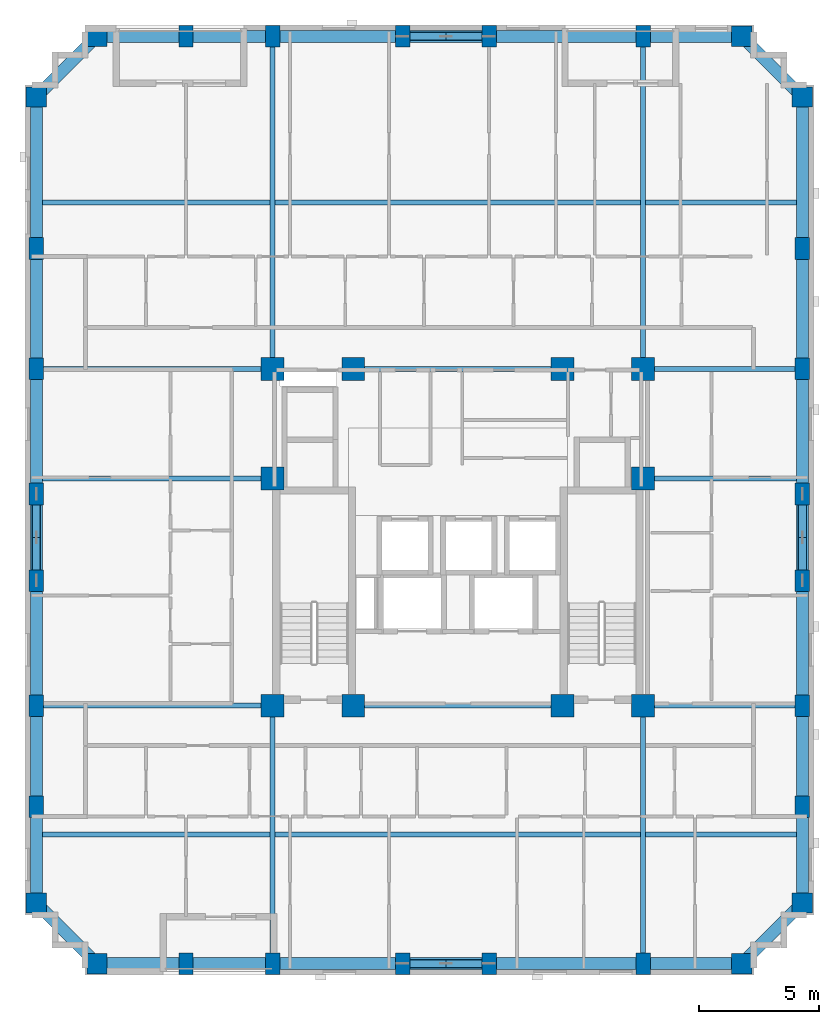
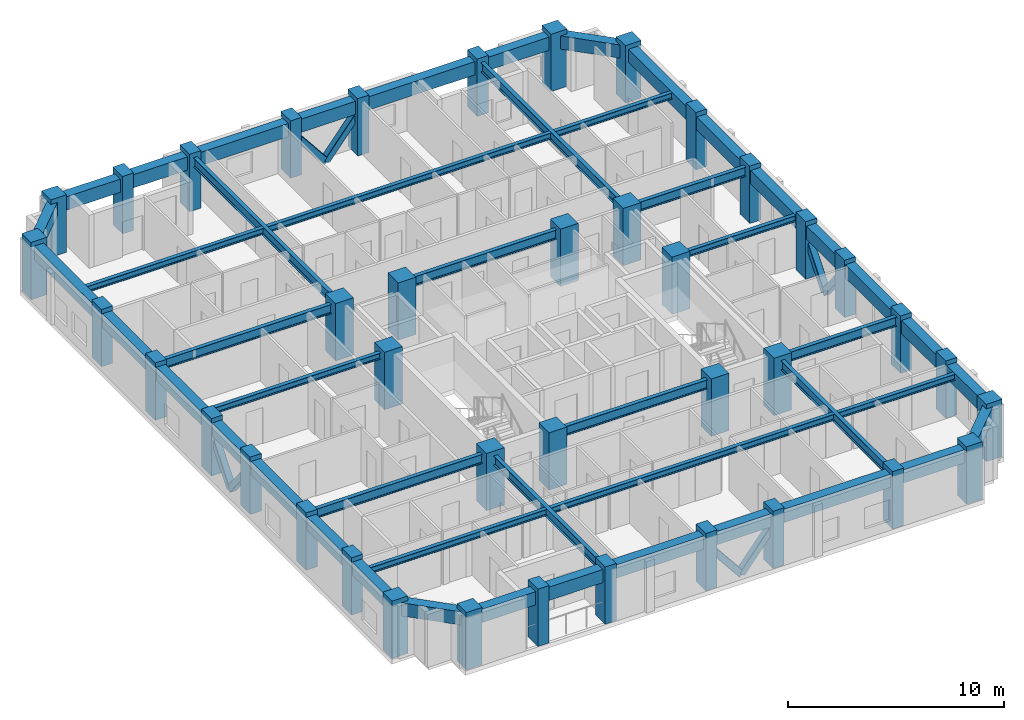
# One storey, part 1 of 11: 48 beams, 40 columns, 8 members.
"""IFC4 building model written with IfcOpenShell, lengths in metres."""

from ifc_helpers import new_model, si_unit, derived_unit, direction, frame, origin, origin_2d, place, context, subcontext, project, spatial, rectangle, hollow_rectangle, i_section, extrude, material, material_profile, profile_set, type_object, element, save


model = new_model("IFC4")

# Units and contexts
model_context = context("Model", 3, precision=1e-05, world=origin(), true_north=direction((0.0, 1.0)))
body_context = subcontext(model_context, "Body", "Model", "MODEL_VIEW")
ifc_project = project(units=[si_unit("LENGTHUNIT", "METRE"), si_unit("AREAUNIT", "SQUARE_METRE"), si_unit("VOLUMEUNIT", "CUBIC_METRE"), si_unit("PLANEANGLEUNIT", "RADIAN"), si_unit("MASSUNIT", "GRAM", prefix="KILO"), derived_unit("THERMALTRANSMITTANCEUNIT", [(si_unit("MASSUNIT", "GRAM", prefix="KILO"), 1), (si_unit("TIMEUNIT", "SECOND"), -3), (si_unit("THERMODYNAMICTEMPERATUREUNIT", "KELVIN"), -1)])], contexts=[model_context])

# Site, building, storey
site_placement = place(None, origin())
site = spatial("IfcSite", under=ifc_project, at=site_placement, CompositionType="ELEMENT")
building_placement = place(site_placement, origin())
building = spatial("IfcBuilding", under=site, at=building_placement, Name="Korrvale Station Residences", CompositionType="ELEMENT")
storey_placement = place(building_placement, frame((0.0, 0.0, 150.39990234375)))
storey = spatial("IfcBuildingStorey", under=building, at=storey_placement, Name="L43", CompositionType="ELEMENT", Elevation=150.39990234375)

# Columns
ifc_material_1 = material(Name="Concrete C60/75", Category="concrete")
ifc_material_profile_1 = material_profile(ifc_material_1, rectangle(XDim=0.60009765625, YDim=0.89990234375, at=origin_2d()), Name="RC600x900")
ifc_profile_set_1 = profile_set([ifc_material_profile_1], Name="Concrete C60/75")
column_type_1 = type_object("IfcColumnType", Name="COL-C-RC600x900-C6075", PredefinedType="COLUMN", material=ifc_profile_set_1)
for number, where, z_axis, x_axis, name in (
    (1, (14.199951171875, 4.280029296875, 0.0), (0.0, 0.0, 1.0), (1.0, 0.0, 0.0), "L43 Bundled-Tube South Column 02"),
    (2, (17.800048828125, 4.280029296875, 0.0), (0.0, 0.0, 1.0), (1.0, 0.0, 0.0), "L43 Bundled-Tube South Column 03"),
    (3, (23.199951171875, 4.280029296875, 0.0), (0.0, 0.0, 1.0), (1.0, 0.0, 0.0), "L43 Bundled-Tube South Column 04"),
    (4, (26.800048828125, 4.280029296875, 0.0), (0.0, 0.0, 1.0), (1.0, 0.0, 0.0), "L43 Bundled-Tube South Column 05"),
    (5, (33.199951171875, 4.280029296875, 0.0), (0.0, 0.0, 1.0), (1.0, 0.0, 0.0), "L43 Bundled-Tube South Column 06"),
    (6, (14.199951171875, 42.820068359375, 0.0), (0.0, 0.0, 1.0), (1.0, 0.0, 0.0), "L43 Bundled-Tube North Column 09"),
    (7, (17.800048828125, 42.820068359375, 0.0), (0.0, 0.0, 1.0), (1.0, 0.0, 0.0), "L43 Bundled-Tube North Column 10"),
    (8, (23.199951171875, 42.820068359375, 0.0), (0.0, 0.0, 1.0), (1.0, 0.0, 0.0), "L43 Bundled-Tube North Column 11"),
    (9, (26.800048828125, 42.820068359375, 0.0), (0.0, 0.0, 1.0), (1.0, 0.0, 0.0), "L43 Bundled-Tube North Column 12"),
    (10, (33.199951171875, 42.820068359375, 0.0), (0.0, 0.0, 1.0), (1.0, 0.0, 0.0), "L43 Bundled-Tube North Column 13"),
    (11, (7.97998046875, 10.800048828125, 0.0), (0.0, 0.0, 1.0), (1.0, 0.0, 0.0), "L43 Bundled-Tube West Column 16"),
    (12, (7.97998046875, 15.0, 0.0), (0.0, 0.0, 1.0), (1.0, 0.0, 0.0), "L43 Bundled-Tube West Column 17"),
    (13, (7.97998046875, 20.199951171875, 0.0), (0.0, 0.0, 1.0), (1.0, 0.0, 0.0), "L43 Bundled-Tube West Column 18"),
    (14, (7.97998046875, 23.800048828125, 0.0), (0.0, 0.0, 1.0), (1.0, 0.0, 0.0), "L43 Bundled-Tube West Column 19"),
    (15, (7.97998046875, 29.0, 0.0), (0.0, 0.0, 1.0), (1.0, 0.0, 0.0), "L43 Bundled-Tube West Column 20"),
    (16, (7.97998046875, 34.0, 0.0), (0.0, 0.0, 1.0), (1.0, 0.0, 0.0), "L43 Bundled-Tube West Column 21"),
    (17, (39.820068359375, 10.800048828125, 0.0), (0.0, 0.0, 1.0), (1.0, 0.0, 0.0), "L43 Bundled-Tube East Column 24"),
    (18, (39.820068359375, 15.0, 0.0), (0.0, 0.0, 1.0), (1.0, 0.0, 0.0), "L43 Bundled-Tube East Column 25"),
    (19, (39.820068359375, 20.199951171875, 0.0), (0.0, 0.0, 1.0), (1.0, 0.0, 0.0), "L43 Bundled-Tube East Column 26"),
    (20, (39.820068359375, 23.800048828125, 0.0), (0.0, 0.0, 1.0), (1.0, 0.0, 0.0), "L43 Bundled-Tube East Column 27"),
    (21, (39.820068359375, 29.0, 0.0), (0.0, 0.0, 1.0), (1.0, 0.0, 0.0), "L43 Bundled-Tube East Column 28"),
    (22, (39.820068359375, 34.0, 0.0), (0.0, 0.0, 1.0), (1.0, 0.0, 0.0), "L43 Bundled-Tube East Column 29"),
):
    element("IfcColumn", number, at=place(storey_placement, frame(where, z_axis=z_axis, x_axis=x_axis)), inside=storey, type_object=column_type_1, Name=name, PredefinedType="COLUMN", context=body_context, shape_type="SweptSolid", body=[
        extrude(rectangle(XDim=0.60009765625, YDim=0.89990234375, at=origin_2d()), origin(), (0.0, 0.0, 1.0), 3.25),
    ])
ifc_material_profile_2 = material_profile(ifc_material_1, rectangle(XDim=0.85009765625, YDim=0.85009765625, at=origin_2d()), Name="RC850x850")
ifc_profile_set_2 = profile_set([ifc_material_profile_2], Name="Concrete C60/75")
column_type_2 = type_object("IfcColumnType", Name="COL-C-RC850x850-C6075", PredefinedType="COLUMN", material=ifc_profile_set_2)
for number, where, z_axis, x_axis, name in (
    (23, (10.5, 4.280029296875, 0.0), (0.0, 0.0, 1.0), (1.0, 0.0, 0.0), "L43 Bundled-Tube South Column 01"),
    (24, (37.300048828125, 4.280029296875, 0.0), (0.0, 0.0, 1.0), (1.0, 0.0, 0.0), "L43 Bundled-Tube South Column 07"),
    (25, (10.5, 42.820068359375, 0.0), (0.0, 0.0, 1.0), (1.0, 0.0, 0.0), "L43 Bundled-Tube North Column 08"),
    (26, (37.300048828125, 42.820068359375, 0.0), (0.0, 0.0, 1.0), (1.0, 0.0, 0.0), "L43 Bundled-Tube North Column 14"),
    (27, (7.97998046875, 6.800048828125, 0.0), (0.0, 0.0, 1.0), (1.0, 0.0, 0.0), "L43 Bundled-Tube West Column 15"),
    (28, (7.97998046875, 40.300048828125, 0.0), (0.0, 0.0, 1.0), (1.0, 0.0, 0.0), "L43 Bundled-Tube West Column 22"),
    (29, (39.820068359375, 6.800048828125, 0.0), (0.0, 0.0, 1.0), (1.0, 0.0, 0.0), "L43 Bundled-Tube East Column 23"),
    (30, (39.820068359375, 40.300048828125, 0.0), (0.0, 0.0, 1.0), (1.0, 0.0, 0.0), "L43 Bundled-Tube East Column 30"),
):
    element("IfcColumn", number, at=place(storey_placement, frame(where, z_axis=z_axis, x_axis=x_axis)), inside=storey, type_object=column_type_2, Name=name, PredefinedType="COLUMN", context=body_context, shape_type="SweptSolid", body=[
        extrude(rectangle(XDim=0.85009765625, YDim=0.85009765625, at=origin_2d()), origin(), (0.0, 0.0, 1.0), 3.25),
    ])
ifc_material_profile_3 = material_profile(ifc_material_1, rectangle(XDim=0.949951171875, YDim=0.949951171875, at=origin_2d()), Name="RC950x950")
ifc_profile_set_3 = profile_set([ifc_material_profile_3], Name="Concrete C60/75")
column_type_3 = type_object("IfcColumnType", Name="COL-C-RC950x950-C6075", PredefinedType="COLUMN", material=ifc_profile_set_3)
for number, where, z_axis, x_axis, name in (
    (31, (17.800048828125, 15.0, 0.0), (0.0, 0.0, 1.0), (1.0, 0.0, 0.0), "L43 Core Column 01"),
    (32, (21.14990234375, 15.0, 0.0), (0.0, 0.0, 1.0), (1.0, 0.0, 0.0), "L43 Core Column 02"),
    (33, (29.85009765625, 15.0, 0.0), (0.0, 0.0, 1.0), (1.0, 0.0, 0.0), "L43 Core Column 03"),
    (34, (33.199951171875, 15.0, 0.0), (0.0, 0.0, 1.0), (1.0, 0.0, 0.0), "L43 Core Column 04"),
    (35, (17.800048828125, 29.0, 0.0), (0.0, 0.0, 1.0), (1.0, 0.0, 0.0), "L43 Core Column 05"),
    (36, (21.14990234375, 29.0, 0.0), (0.0, 0.0, 1.0), (1.0, 0.0, 0.0), "L43 Core Column 06"),
    (37, (29.85009765625, 29.0, 0.0), (0.0, 0.0, 1.0), (1.0, 0.0, 0.0), "L43 Core Column 07"),
    (38, (33.199951171875, 29.0, 0.0), (0.0, 0.0, 1.0), (1.0, 0.0, 0.0), "L43 Core Column 08"),
    (39, (17.800048828125, 24.449951171875, 0.0), (0.0, 0.0, 1.0), (1.0, 0.0, 0.0), "L43 Core Column 09"),
    (40, (33.199951171875, 24.449951171875, 0.0), (0.0, 0.0, 1.0), (1.0, 0.0, 0.0), "L43 Core Column 10"),
):
    element("IfcColumn", number, at=place(storey_placement, frame(where, z_axis=z_axis, x_axis=x_axis)), inside=storey, type_object=column_type_3, Name=name, PredefinedType="COLUMN", context=body_context, shape_type="SweptSolid", body=[
        extrude(rectangle(XDim=0.949951171875, YDim=0.949951171875, at=origin_2d()), origin(), (0.0, 0.0, 1.0), 3.25),
    ])

# Beams
ifc_material_2 = material(Name="Steel S355", Category="steel")
ifc_material_profile_4 = material_profile(ifc_material_2, i_section(OverallWidth=0.208984375, OverallDepth=0.532958984375, WebThickness=0.01025390625, FlangeThickness=0.015625, FilletRadius=0.01806640625, at=origin_2d()), Name="W530x92")
ifc_profile_set_4 = profile_set([ifc_material_profile_4], Name="Steel S355")
beam_type_1 = type_object("IfcBeamType", Name="BM-BM-W530x92-S355", PredefinedType="BEAM", material=ifc_profile_set_4)
for number, where, z_axis, x_axis, name in (
    (41, (17.800048828125, 4.280029296875, 2.7236328125), (0.0, 1.0, 0.0), (-1.0, 0.0, 0.0), "L43 Bundled-Tube Web Girder 01"),
    (42, (33.199951171875, 4.280029296875, 2.7236328125), (0.0, 1.0, 0.0), (-1.0, 0.0, 0.0), "L43 Bundled-Tube Web Girder 02"),
):
    element("IfcBeam", number, at=place(storey_placement, frame(where, z_axis=z_axis, x_axis=x_axis)), inside=storey, type_object=beam_type_1, Name=name, PredefinedType="BEAM", context=body_context, shape_type="SweptSolid", body=[
        extrude(i_section(OverallWidth=0.208984375, OverallDepth=0.532958984375, WebThickness=0.01025390625, FlangeThickness=0.015625, FilletRadius=0.01806640625, at=origin_2d()), origin(), (0.0, 0.0, 1.0), 10.719970703125),
    ])
for number, where, z_axis, x_axis, name in (
    (43, (17.800048828125, 29.0, 2.7236328125), (0.0, 1.0, 0.0), (-1.0, 0.0, 0.0), "L43 Bundled-Tube Web Girder 03"),
    (44, (33.199951171875, 29.0, 2.7236328125), (0.0, 1.0, 0.0), (-1.0, 0.0, 0.0), "L43 Bundled-Tube Web Girder 04"),
):
    element("IfcBeam", number, at=place(storey_placement, frame(where, z_axis=z_axis, x_axis=x_axis)), inside=storey, type_object=beam_type_1, Name=name, PredefinedType="BEAM", context=body_context, shape_type="SweptSolid", body=[
        extrude(i_section(OverallWidth=0.208984375, OverallDepth=0.532958984375, WebThickness=0.01025390625, FlangeThickness=0.015625, FilletRadius=0.01806640625, at=origin_2d()), origin(), (0.0, 0.0, 1.0), 13.820068359375),
    ])
beam_1_placement = place(storey_placement, frame((7.97998046875, 15.0, 2.7236328125), z_axis=(1.0, 0.0, 0.0), x_axis=(0.0, 1.0, 0.0)))
element("IfcBeam", 45, at=beam_1_placement, inside=storey, type_object=beam_type_1, Name="L43 Bundled-Tube Web Girder 05", PredefinedType="BEAM", context=body_context, shape_type="SweptSolid", body=[
    extrude(i_section(OverallWidth=0.208984375, OverallDepth=0.532958984375, WebThickness=0.01025390625, FlangeThickness=0.015625, FilletRadius=0.01806640625, at=origin_2d()), origin(), (0.0, 0.0, 1.0), 9.820068359375),
])
beam_2_placement = place(storey_placement, frame((33.199951171875, 15.0, 2.7236328125), z_axis=(1.0, 0.0, 0.0), x_axis=(0.0, 1.0, 0.0)))
element("IfcBeam", 46, at=beam_2_placement, inside=storey, type_object=beam_type_1, Name="L43 Bundled-Tube Web Girder 06", PredefinedType="BEAM", context=body_context, shape_type="SweptSolid", body=[
    extrude(i_section(OverallWidth=0.208984375, OverallDepth=0.532958984375, WebThickness=0.01025390625, FlangeThickness=0.015625, FilletRadius=0.01806640625, at=origin_2d()), origin(), (0.0, 0.0, 1.0), 6.6201171875),
])
beam_3_placement = place(storey_placement, frame((7.97998046875, 29.0, 2.7236328125), z_axis=(1.0, 0.0, 0.0), x_axis=(0.0, 1.0, 0.0)))
element("IfcBeam", 47, at=beam_3_placement, inside=storey, type_object=beam_type_1, Name="L43 Bundled-Tube Web Girder 07", PredefinedType="BEAM", context=body_context, shape_type="SweptSolid", body=[
    extrude(i_section(OverallWidth=0.208984375, OverallDepth=0.532958984375, WebThickness=0.01025390625, FlangeThickness=0.015625, FilletRadius=0.01806640625, at=origin_2d()), origin(), (0.0, 0.0, 1.0), 9.820068359375),
])
beam_4_placement = place(storey_placement, frame((33.199951171875, 29.0, 2.7236328125), z_axis=(1.0, 0.0, 0.0), x_axis=(0.0, 1.0, 0.0)))
element("IfcBeam", 48, at=beam_4_placement, inside=storey, type_object=beam_type_1, Name="L43 Bundled-Tube Web Girder 08", PredefinedType="BEAM", context=body_context, shape_type="SweptSolid", body=[
    extrude(i_section(OverallWidth=0.208984375, OverallDepth=0.532958984375, WebThickness=0.01025390625, FlangeThickness=0.015625, FilletRadius=0.01806640625, at=origin_2d()), origin(), (0.0, 0.0, 1.0), 6.6201171875),
])
for number, where, z_axis, x_axis, name in (
    (49, (21.14990234375, 15.0, 2.7236328125), (1.0, 0.0, 0.0), (0.0, 1.0, 0.0), "L43 Bundled-Tube Web Girder 09"),
    (50, (21.14990234375, 29.0, 2.7236328125), (1.0, 0.0, 0.0), (0.0, 1.0, 0.0), "L43 Bundled-Tube Web Girder 10"),
):
    element("IfcBeam", number, at=place(storey_placement, frame(where, z_axis=z_axis, x_axis=x_axis)), inside=storey, type_object=beam_type_1, Name=name, PredefinedType="BEAM", context=body_context, shape_type="SweptSolid", body=[
        extrude(i_section(OverallWidth=0.208984375, OverallDepth=0.532958984375, WebThickness=0.01025390625, FlangeThickness=0.015625, FilletRadius=0.01806640625, at=origin_2d()), origin(), (0.0, 0.0, 1.0), 8.7001953125),
    ])
ifc_material_profile_5 = material_profile(ifc_material_2, i_section(OverallWidth=0.205078125, OverallDepth=0.35400390625, WebThickness=0.009521484375, FlangeThickness=0.016845703125, FilletRadius=0.014892578125, at=origin_2d()), Name="W360x79")
ifc_profile_set_5 = profile_set([ifc_material_profile_5], Name="Steel S355")
beam_type_2 = type_object("IfcBeamType", Name="BM-JST-W360x79-S355", PredefinedType="JOIST", material=ifc_profile_set_5)
beam_5_placement = place(storey_placement, frame((8.22998046875, 9.639892578125, 2.81298828125), z_axis=(1.0, 0.0, 0.0), x_axis=(0.0, 1.0, 0.0)))
element("IfcBeam", 51, at=beam_5_placement, inside=storey, type_object=beam_type_2, Name="L43 Floor Framing Joist 01", PredefinedType="JOIST", context=body_context, shape_type="SweptSolid", body=[
    extrude(i_section(OverallWidth=0.205078125, OverallDepth=0.35400390625, WebThickness=0.009521484375, FlangeThickness=0.016845703125, FilletRadius=0.014892578125, at=origin_2d()), origin(), (0.0, 0.0, 1.0), 9.465576171875),
])
beam_6_placement = place(storey_placement, frame((17.904541015625, 9.639892578125, 2.81298828125), z_axis=(1.0, 0.0, 0.0), x_axis=(0.0, 1.0, 0.0)))
element("IfcBeam", 52, at=beam_6_placement, inside=storey, type_object=beam_type_2, Name="L43 Floor Framing Joist 02", PredefinedType="JOIST", context=body_context, shape_type="SweptSolid", body=[
    extrude(i_section(OverallWidth=0.205078125, OverallDepth=0.35400390625, WebThickness=0.009521484375, FlangeThickness=0.016845703125, FilletRadius=0.014892578125, at=origin_2d()), origin(), (0.0, 0.0, 1.0), 15.19091796875),
])
beam_7_placement = place(storey_placement, frame((33.304443359375, 9.639892578125, 2.81298828125), z_axis=(1.0, 0.0, 0.0), x_axis=(0.0, 1.0, 0.0)))
element("IfcBeam", 53, at=beam_7_placement, inside=storey, type_object=beam_type_2, Name="L43 Floor Framing Joist 03", PredefinedType="JOIST", context=body_context, shape_type="SweptSolid", body=[
    extrude(i_section(OverallWidth=0.205078125, OverallDepth=0.35400390625, WebThickness=0.009521484375, FlangeThickness=0.016845703125, FilletRadius=0.014892578125, at=origin_2d()), origin(), (0.0, 0.0, 1.0), 6.265625),
])
beam_8_placement = place(storey_placement, frame((8.22998046875, 35.909912109375, 2.81298828125), z_axis=(1.0, 0.0, 0.0), x_axis=(0.0, 1.0, 0.0)))
element("IfcBeam", 54, at=beam_8_placement, inside=storey, type_object=beam_type_2, Name="L43 Floor Framing Joist 04", PredefinedType="JOIST", context=body_context, shape_type="SweptSolid", body=[
    extrude(i_section(OverallWidth=0.205078125, OverallDepth=0.35400390625, WebThickness=0.009521484375, FlangeThickness=0.016845703125, FilletRadius=0.014892578125, at=origin_2d()), origin(), (0.0, 0.0, 1.0), 9.465576171875),
])
beam_9_placement = place(storey_placement, frame((17.904541015625, 35.909912109375, 2.81298828125), z_axis=(1.0, 0.0, 0.0), x_axis=(0.0, 1.0, 0.0)))
element("IfcBeam", 55, at=beam_9_placement, inside=storey, type_object=beam_type_2, Name="L43 Floor Framing Joist 05", PredefinedType="JOIST", context=body_context, shape_type="SweptSolid", body=[
    extrude(i_section(OverallWidth=0.205078125, OverallDepth=0.35400390625, WebThickness=0.009521484375, FlangeThickness=0.016845703125, FilletRadius=0.014892578125, at=origin_2d()), origin(), (0.0, 0.0, 1.0), 15.19091796875),
])
beam_10_placement = place(storey_placement, frame((33.304443359375, 35.909912109375, 2.81298828125), z_axis=(1.0, 0.0, 0.0), x_axis=(0.0, 1.0, 0.0)))
element("IfcBeam", 56, at=beam_10_placement, inside=storey, type_object=beam_type_2, Name="L43 Floor Framing Joist 06", PredefinedType="JOIST", context=body_context, shape_type="SweptSolid", body=[
    extrude(i_section(OverallWidth=0.205078125, OverallDepth=0.35400390625, WebThickness=0.009521484375, FlangeThickness=0.016845703125, FilletRadius=0.014892578125, at=origin_2d()), origin(), (0.0, 0.0, 1.0), 6.265625),
])
beam_11_placement = place(storey_placement, frame((33.199951171875, 24.449951171875, 2.81298828125), z_axis=(1.0, 0.0, 0.0), x_axis=(0.0, 1.0, 0.0)))
element("IfcBeam", 57, at=beam_11_placement, inside=storey, type_object=beam_type_2, Name="L43 Floor Framing Joist 07", PredefinedType="JOIST", context=body_context, shape_type="SweptSolid", body=[
    extrude(i_section(OverallWidth=0.205078125, OverallDepth=0.35400390625, WebThickness=0.009521484375, FlangeThickness=0.016845703125, FilletRadius=0.014892578125, at=origin_2d()), origin(), (0.0, 0.0, 1.0), 6.3701171875),
])
beam_12_placement = place(storey_placement, frame((8.22998046875, 24.449951171875, 2.81298828125), z_axis=(1.0, 0.0, 0.0), x_axis=(0.0, 1.0, 0.0)))
element("IfcBeam", 58, at=beam_12_placement, inside=storey, type_object=beam_type_2, Name="L43 Floor Framing Joist 08", PredefinedType="JOIST", context=body_context, shape_type="SweptSolid", body=[
    extrude(i_section(OverallWidth=0.205078125, OverallDepth=0.35400390625, WebThickness=0.009521484375, FlangeThickness=0.016845703125, FilletRadius=0.014892578125, at=origin_2d()), origin(), (0.0, 0.0, 1.0), 9.570068359375),
])
ifc_material_profile_6 = material_profile(ifc_material_1, rectangle(XDim=0.5, YDim=0.75, at=origin_2d()), Name="RCB500x750")
ifc_profile_set_6 = profile_set([ifc_material_profile_6], Name="Concrete C60/75")
beam_type_3 = type_object("IfcBeamType", Name="BM-SPB-RCB500x750-C6075", PredefinedType="SPANDREL", material=ifc_profile_set_6)
beam_13_placement = place(storey_placement, frame((10.5, 4.280029296875, 2.614990234375), z_axis=(1.0, 0.0, 0.0), x_axis=(0.0, 1.0, 0.0)))
element("IfcBeam", 59, at=beam_13_placement, inside=storey, type_object=beam_type_3, Name="L43 South Tube Spandrel 01", PredefinedType="SPANDREL", context=body_context, shape_type="SweptSolid", body=[
    extrude(rectangle(XDim=0.5, YDim=0.75, at=origin_2d()), origin(), (0.0, 0.0, 1.0), 3.699951171875),
])
beam_14_placement = place(storey_placement, frame((14.199951171875, 4.280029296875, 2.614990234375), z_axis=(1.0, 0.0, 0.0), x_axis=(0.0, 1.0, 0.0)))
element("IfcBeam", 60, at=beam_14_placement, inside=storey, type_object=beam_type_3, Name="L43 South Tube Spandrel 02", PredefinedType="SPANDREL", context=body_context, shape_type="SweptSolid", body=[
    extrude(rectangle(XDim=0.5, YDim=0.75, at=origin_2d()), origin(), (0.0, 0.0, 1.0), 3.60009765625),
])
beam_15_placement = place(storey_placement, frame((17.800048828125, 4.280029296875, 2.614990234375), z_axis=(1.0, 0.0, 0.0), x_axis=(0.0, 1.0, 0.0)))
element("IfcBeam", 61, at=beam_15_placement, inside=storey, type_object=beam_type_3, Name="L43 South Tube Spandrel 03", PredefinedType="SPANDREL", context=body_context, shape_type="SweptSolid", body=[
    extrude(rectangle(XDim=0.5, YDim=0.75, at=origin_2d()), origin(), (0.0, 0.0, 1.0), 5.39990234375),
])
beam_16_placement = place(storey_placement, frame((23.199951171875, 4.280029296875, 2.614990234375), z_axis=(1.0, 0.0, 0.0), x_axis=(0.0, 1.0, 0.0)))
element("IfcBeam", 62, at=beam_16_placement, inside=storey, type_object=beam_type_3, Name="L43 South Tube Spandrel 04", PredefinedType="SPANDREL", context=body_context, shape_type="SweptSolid", body=[
    extrude(rectangle(XDim=0.5, YDim=0.75, at=origin_2d()), origin(), (0.0, 0.0, 1.0), 3.60009765625),
])
beam_17_placement = place(storey_placement, frame((26.800048828125, 4.280029296875, 2.614990234375), z_axis=(1.0, 0.0, 0.0), x_axis=(0.0, 1.0, 0.0)))
element("IfcBeam", 63, at=beam_17_placement, inside=storey, type_object=beam_type_3, Name="L43 South Tube Spandrel 05", PredefinedType="SPANDREL", context=body_context, shape_type="SweptSolid", body=[
    extrude(rectangle(XDim=0.5, YDim=0.75, at=origin_2d()), origin(), (0.0, 0.0, 1.0), 6.39990234375),
])
beam_18_placement = place(storey_placement, frame((33.199951171875, 4.280029296875, 2.614990234375), z_axis=(1.0, 0.0, 0.0), x_axis=(0.0, 1.0, 0.0)))
element("IfcBeam", 64, at=beam_18_placement, inside=storey, type_object=beam_type_3, Name="L43 South Tube Spandrel 06", PredefinedType="SPANDREL", context=body_context, shape_type="SweptSolid", body=[
    extrude(rectangle(XDim=0.5, YDim=0.75, at=origin_2d()), origin(), (0.0, 0.0, 1.0), 4.10009765625),
])
beam_19_placement = place(storey_placement, frame((10.5, 42.820068359375, 2.614990234375), z_axis=(1.0, 0.0, 0.0), x_axis=(0.0, 1.0, 0.0)))
element("IfcBeam", 65, at=beam_19_placement, inside=storey, type_object=beam_type_3, Name="L43 North Tube Spandrel 07", PredefinedType="SPANDREL", context=body_context, shape_type="SweptSolid", body=[
    extrude(rectangle(XDim=0.5, YDim=0.75, at=origin_2d()), origin(), (0.0, 0.0, 1.0), 3.699951171875),
])
beam_20_placement = place(storey_placement, frame((14.199951171875, 42.820068359375, 2.614990234375), z_axis=(1.0, 0.0, 0.0), x_axis=(0.0, 1.0, 0.0)))
element("IfcBeam", 66, at=beam_20_placement, inside=storey, type_object=beam_type_3, Name="L43 North Tube Spandrel 08", PredefinedType="SPANDREL", context=body_context, shape_type="SweptSolid", body=[
    extrude(rectangle(XDim=0.5, YDim=0.75, at=origin_2d()), origin(), (0.0, 0.0, 1.0), 3.60009765625),
])
beam_21_placement = place(storey_placement, frame((17.800048828125, 42.820068359375, 2.614990234375), z_axis=(1.0, 0.0, 0.0), x_axis=(0.0, 1.0, 0.0)))
element("IfcBeam", 67, at=beam_21_placement, inside=storey, type_object=beam_type_3, Name="L43 North Tube Spandrel 09", PredefinedType="SPANDREL", context=body_context, shape_type="SweptSolid", body=[
    extrude(rectangle(XDim=0.5, YDim=0.75, at=origin_2d()), origin(), (0.0, 0.0, 1.0), 5.39990234375),
])
beam_22_placement = place(storey_placement, frame((23.199951171875, 42.820068359375, 2.614990234375), z_axis=(1.0, 0.0, 0.0), x_axis=(0.0, 1.0, 0.0)))
element("IfcBeam", 68, at=beam_22_placement, inside=storey, type_object=beam_type_3, Name="L43 North Tube Spandrel 10", PredefinedType="SPANDREL", context=body_context, shape_type="SweptSolid", body=[
    extrude(rectangle(XDim=0.5, YDim=0.75, at=origin_2d()), origin(), (0.0, 0.0, 1.0), 3.60009765625),
])
beam_23_placement = place(storey_placement, frame((26.800048828125, 42.820068359375, 2.614990234375), z_axis=(1.0, 0.0, 0.0), x_axis=(0.0, 1.0, 0.0)))
element("IfcBeam", 69, at=beam_23_placement, inside=storey, type_object=beam_type_3, Name="L43 North Tube Spandrel 11", PredefinedType="SPANDREL", context=body_context, shape_type="SweptSolid", body=[
    extrude(rectangle(XDim=0.5, YDim=0.75, at=origin_2d()), origin(), (0.0, 0.0, 1.0), 6.39990234375),
])
beam_24_placement = place(storey_placement, frame((33.199951171875, 42.820068359375, 2.614990234375), z_axis=(1.0, 0.0, 0.0), x_axis=(0.0, 1.0, 0.0)))
element("IfcBeam", 70, at=beam_24_placement, inside=storey, type_object=beam_type_3, Name="L43 North Tube Spandrel 12", PredefinedType="SPANDREL", context=body_context, shape_type="SweptSolid", body=[
    extrude(rectangle(XDim=0.5, YDim=0.75, at=origin_2d()), origin(), (0.0, 0.0, 1.0), 4.10009765625),
])
beam_25_placement = place(storey_placement, frame((7.97998046875, 6.800048828125, 2.614990234375), z_axis=(0.0, 1.0, 0.0), x_axis=(-1.0, 0.0, 0.0)))
element("IfcBeam", 71, at=beam_25_placement, inside=storey, type_object=beam_type_3, Name="L43 West Tube Spandrel 13", PredefinedType="SPANDREL", context=body_context, shape_type="SweptSolid", body=[
    extrude(rectangle(XDim=0.5, YDim=0.75, at=origin_2d()), origin(), (0.0, 0.0, 1.0), 4.0),
])
beam_26_placement = place(storey_placement, frame((7.97998046875, 10.800048828125, 2.614990234375), z_axis=(0.0, 1.0, 0.0), x_axis=(-1.0, 0.0, 0.0)))
element("IfcBeam", 72, at=beam_26_placement, inside=storey, type_object=beam_type_3, Name="L43 West Tube Spandrel 14", PredefinedType="SPANDREL", context=body_context, shape_type="SweptSolid", body=[
    extrude(rectangle(XDim=0.5, YDim=0.75, at=origin_2d()), origin(), (0.0, 0.0, 1.0), 4.199951171875),
])
beam_27_placement = place(storey_placement, frame((7.97998046875, 15.0, 2.614990234375), z_axis=(0.0, 1.0, 0.0), x_axis=(-1.0, 0.0, 0.0)))
element("IfcBeam", 73, at=beam_27_placement, inside=storey, type_object=beam_type_3, Name="L43 West Tube Spandrel 15", PredefinedType="SPANDREL", context=body_context, shape_type="SweptSolid", body=[
    extrude(rectangle(XDim=0.5, YDim=0.75, at=origin_2d()), origin(), (0.0, 0.0, 1.0), 5.199951171875),
])
beam_28_placement = place(storey_placement, frame((7.97998046875, 20.199951171875, 2.614990234375), z_axis=(0.0, 1.0, 0.0), x_axis=(-1.0, 0.0, 0.0)))
element("IfcBeam", 74, at=beam_28_placement, inside=storey, type_object=beam_type_3, Name="L43 West Tube Spandrel 16", PredefinedType="SPANDREL", context=body_context, shape_type="SweptSolid", body=[
    extrude(rectangle(XDim=0.5, YDim=0.75, at=origin_2d()), origin(), (0.0, 0.0, 1.0), 3.60009765625),
])
beam_29_placement = place(storey_placement, frame((7.97998046875, 23.800048828125, 2.614990234375), z_axis=(0.0, 1.0, 0.0), x_axis=(-1.0, 0.0, 0.0)))
element("IfcBeam", 75, at=beam_29_placement, inside=storey, type_object=beam_type_3, Name="L43 West Tube Spandrel 17", PredefinedType="SPANDREL", context=body_context, shape_type="SweptSolid", body=[
    extrude(rectangle(XDim=0.5, YDim=0.75, at=origin_2d()), origin(), (0.0, 0.0, 1.0), 5.199951171875),
])
beam_30_placement = place(storey_placement, frame((7.97998046875, 29.0, 2.614990234375), z_axis=(0.0, 1.0, 0.0), x_axis=(-1.0, 0.0, 0.0)))
element("IfcBeam", 76, at=beam_30_placement, inside=storey, type_object=beam_type_3, Name="L43 West Tube Spandrel 18", PredefinedType="SPANDREL", context=body_context, shape_type="SweptSolid", body=[
    extrude(rectangle(XDim=0.5, YDim=0.75, at=origin_2d()), origin(), (0.0, 0.0, 1.0), 5.0),
])
beam_31_placement = place(storey_placement, frame((7.97998046875, 34.0, 2.614990234375), z_axis=(0.0, 1.0, 0.0), x_axis=(-1.0, 0.0, 0.0)))
element("IfcBeam", 77, at=beam_31_placement, inside=storey, type_object=beam_type_3, Name="L43 West Tube Spandrel 19", PredefinedType="SPANDREL", context=body_context, shape_type="SweptSolid", body=[
    extrude(rectangle(XDim=0.5, YDim=0.75, at=origin_2d()), origin(), (0.0, 0.0, 1.0), 6.300048828125),
])
beam_32_placement = place(storey_placement, frame((39.820068359375, 6.800048828125, 2.614990234375), z_axis=(0.0, 1.0, 0.0), x_axis=(-1.0, 0.0, 0.0)))
element("IfcBeam", 78, at=beam_32_placement, inside=storey, type_object=beam_type_3, Name="L43 East Tube Spandrel 20", PredefinedType="SPANDREL", context=body_context, shape_type="SweptSolid", body=[
    extrude(rectangle(XDim=0.5, YDim=0.75, at=origin_2d()), origin(), (0.0, 0.0, 1.0), 4.0),
])
beam_33_placement = place(storey_placement, frame((39.820068359375, 10.800048828125, 2.614990234375), z_axis=(0.0, 1.0, 0.0), x_axis=(-1.0, 0.0, 0.0)))
element("IfcBeam", 79, at=beam_33_placement, inside=storey, type_object=beam_type_3, Name="L43 East Tube Spandrel 21", PredefinedType="SPANDREL", context=body_context, shape_type="SweptSolid", body=[
    extrude(rectangle(XDim=0.5, YDim=0.75, at=origin_2d()), origin(), (0.0, 0.0, 1.0), 4.199951171875),
])
beam_34_placement = place(storey_placement, frame((39.820068359375, 15.0, 2.614990234375), z_axis=(0.0, 1.0, 0.0), x_axis=(-1.0, 0.0, 0.0)))
element("IfcBeam", 80, at=beam_34_placement, inside=storey, type_object=beam_type_3, Name="L43 East Tube Spandrel 22", PredefinedType="SPANDREL", context=body_context, shape_type="SweptSolid", body=[
    extrude(rectangle(XDim=0.5, YDim=0.75, at=origin_2d()), origin(), (0.0, 0.0, 1.0), 5.199951171875),
])
beam_35_placement = place(storey_placement, frame((39.820068359375, 20.199951171875, 2.614990234375), z_axis=(0.0, 1.0, 0.0), x_axis=(-1.0, 0.0, 0.0)))
element("IfcBeam", 81, at=beam_35_placement, inside=storey, type_object=beam_type_3, Name="L43 East Tube Spandrel 23", PredefinedType="SPANDREL", context=body_context, shape_type="SweptSolid", body=[
    extrude(rectangle(XDim=0.5, YDim=0.75, at=origin_2d()), origin(), (0.0, 0.0, 1.0), 3.60009765625),
])
beam_36_placement = place(storey_placement, frame((39.820068359375, 23.800048828125, 2.614990234375), z_axis=(0.0, 1.0, 0.0), x_axis=(-1.0, 0.0, 0.0)))
element("IfcBeam", 82, at=beam_36_placement, inside=storey, type_object=beam_type_3, Name="L43 East Tube Spandrel 24", PredefinedType="SPANDREL", context=body_context, shape_type="SweptSolid", body=[
    extrude(rectangle(XDim=0.5, YDim=0.75, at=origin_2d()), origin(), (0.0, 0.0, 1.0), 5.199951171875),
])
beam_37_placement = place(storey_placement, frame((39.820068359375, 29.0, 2.614990234375), z_axis=(0.0, 1.0, 0.0), x_axis=(-1.0, 0.0, 0.0)))
element("IfcBeam", 83, at=beam_37_placement, inside=storey, type_object=beam_type_3, Name="L43 East Tube Spandrel 25", PredefinedType="SPANDREL", context=body_context, shape_type="SweptSolid", body=[
    extrude(rectangle(XDim=0.5, YDim=0.75, at=origin_2d()), origin(), (0.0, 0.0, 1.0), 5.0),
])
beam_38_placement = place(storey_placement, frame((39.820068359375, 34.0, 2.614990234375), z_axis=(0.0, 1.0, 0.0), x_axis=(-1.0, 0.0, 0.0)))
element("IfcBeam", 84, at=beam_38_placement, inside=storey, type_object=beam_type_3, Name="L43 East Tube Spandrel 26", PredefinedType="SPANDREL", context=body_context, shape_type="SweptSolid", body=[
    extrude(rectangle(XDim=0.5, YDim=0.75, at=origin_2d()), origin(), (0.0, 0.0, 1.0), 6.300048828125),
])
for number, where, z_axis, x_axis, name in (
    (85, (10.5, 4.280029296875, 2.614990234375), (-0.707106781187, 0.707106781187, 0.0), (-0.707106781187, -0.707106781187, 0.0), "L43 Serrated Corner Spandrel 27"),
    (86, (37.300048828125, 4.280029296875, 2.614990234375), (0.707106781187, 0.707106781187, 0.0), (-0.707106781187, 0.707106781187, 0.0), "L43 Serrated Corner Spandrel 28"),
    (87, (37.300048828125, 42.820068359375, 2.614990234375), (0.707106781187, -0.707106781187, 0.0), (0.707106781187, 0.707106781187, 0.0), "L43 Serrated Corner Spandrel 29"),
    (88, (10.5, 42.820068359375, 2.614990234375), (-0.707106781187, -0.707106781187, 0.0), (0.707106781187, -0.707106781187, 0.0), "L43 Serrated Corner Spandrel 30"),
):
    element("IfcBeam", number, at=place(storey_placement, frame(where, z_axis=z_axis, x_axis=x_axis)), inside=storey, type_object=beam_type_3, Name=name, PredefinedType="SPANDREL", context=body_context, shape_type="SweptSolid", body=[
        extrude(rectangle(XDim=0.5, YDim=0.75, at=origin_2d()), origin(), (0.0, 0.0, 1.0), 3.56396484375),
    ])

# Members
ifc_material_profile_7 = material_profile(ifc_material_2, hollow_rectangle(XDim=0.355712890625, YDim=0.355712890625, WallThickness=0.015869140625, InnerFilletRadius=0.015869140625, OuterFilletRadius=0.03173828125, at=origin_2d()), Name="HSS356x356x16")
ifc_profile_set_7 = profile_set([ifc_material_profile_7], Name="Steel S355")
member_type = type_object("IfcMemberType", Name="MBR-BR-HSS356x356x16", PredefinedType="BRACE", material=ifc_profile_set_7)
for number, where, z_axis, x_axis, name in (
    (89, (25.0, 4.280029296875, 0.02001953125), (-0.62640309239, 0.0, 0.779499304582), (0.0, -1.0, 0.0), "L43 S Perimeter Tube Wind Brace 1"),
    (90, (25.0, 4.280029296875, 0.02001953125), (0.62640309239, 0.0, 0.779499304582), (0.0, 1.0, 0.0), "L43 S Perimeter Tube Wind Brace 2"),
    (91, (25.0, 42.820068359375, 0.02001953125), (-0.62640309239, 0.0, 0.779499304582), (0.0, -1.0, 0.0), "L43 N Perimeter Tube Wind Brace 1"),
    (92, (25.0, 42.820068359375, 0.02001953125), (0.62640309239, 0.0, 0.779499304582), (0.0, 1.0, 0.0), "L43 N Perimeter Tube Wind Brace 2"),
    (93, (7.97998046875, 22.0, 0.02001953125), (0.0, -0.62640309239, 0.779499304582), (1.0, 0.0, 0.0), "L43 W Perimeter Tube Wind Brace 1"),
    (94, (7.97998046875, 22.0, 0.02001953125), (0.0, 0.62640309239, 0.779499304582), (-1.0, 0.0, 0.0), "L43 W Perimeter Tube Wind Brace 2"),
    (95, (39.820068359375, 22.0, 0.02001953125), (0.0, -0.62640309239, 0.779499304582), (1.0, 0.0, 0.0), "L43 E Perimeter Tube Wind Brace 1"),
    (96, (39.820068359375, 22.0, 0.02001953125), (0.0, 0.62640309239, 0.779499304582), (-1.0, 0.0, 0.0), "L43 E Perimeter Tube Wind Brace 2"),
):
    element("IfcMember", number, at=place(storey_placement, frame(where, z_axis=z_axis, x_axis=x_axis)), inside=storey, type_object=member_type, Name=name, PredefinedType="BRACE", context=body_context, shape_type="SweptSolid", body=[
        extrude(hollow_rectangle(XDim=0.355712890625, YDim=0.355712890625, WallThickness=0.015869140625, InnerFilletRadius=0.015869140625, OuterFilletRadius=0.03173828125, at=origin_2d()), origin(), (0.0, 0.0, 1.0), 2.87353515625),
    ])

save(model, "model.ifc")
